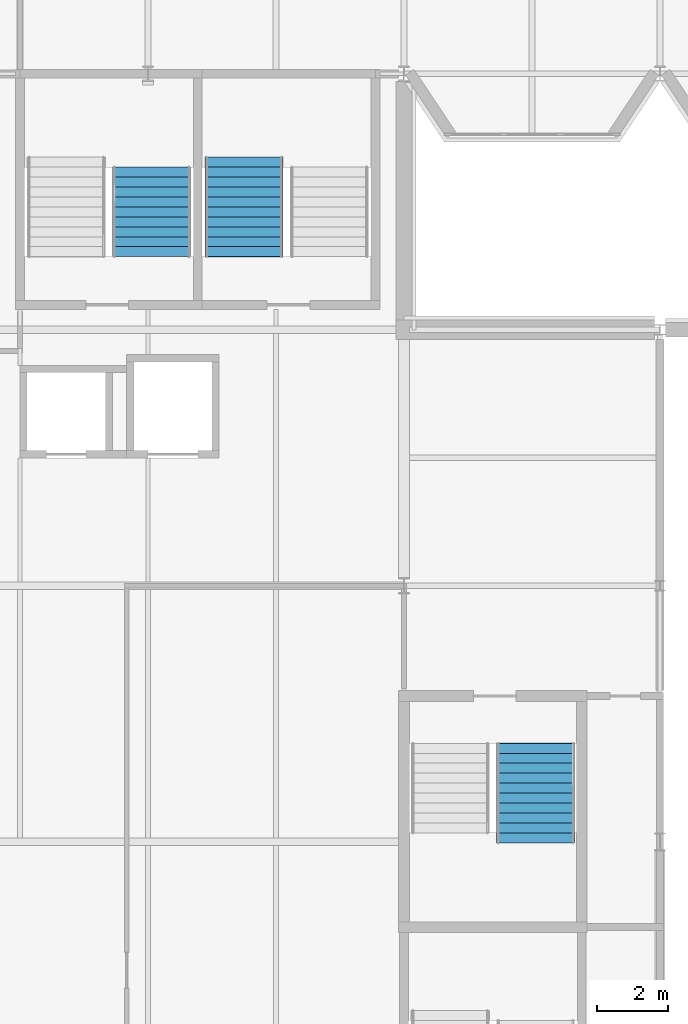
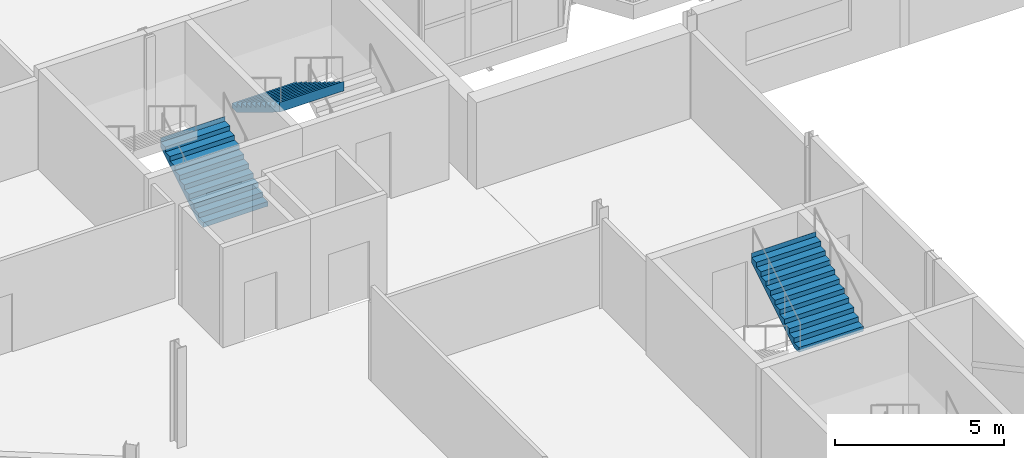
# One storey, part 91 of 124: 3 stair flights, 3 elements without a shape of their own.
"""IFC4 building model written with IfcOpenShell, lengths in metres."""

from ifc_helpers import new_model, si_unit, direction, frame, origin, place, context, subcontext, project, spatial, polyline, outline, extrude, material, type_object, element, aggregate, save


model = new_model("IFC4")

# Units and contexts
model_context = context("Model", 3, precision=1e-05, world=origin(), true_north=direction((0.0, 1.0)))
body_context = subcontext(model_context, "Body", "Model", "MODEL_VIEW")
ifc_project = project(units=[si_unit("LENGTHUNIT", "METRE"), si_unit("AREAUNIT", "SQUARE_METRE"), si_unit("VOLUMEUNIT", "CUBIC_METRE"), si_unit("PLANEANGLEUNIT", "RADIAN"), si_unit("MASSUNIT", "GRAM", prefix="KILO")], contexts=[model_context])

# Site, building, storey
site_placement = place(None, origin())
site = spatial("IfcSite", under=ifc_project, at=site_placement, CompositionType="ELEMENT")
building_placement = place(site_placement, origin())
building = spatial("IfcBuilding", under=site, at=building_placement, Name="Kupolbacken Congress Centre", CompositionType="ELEMENT")
storey_placement = place(building_placement, frame((0.0, 0.0, 10.800048828125)))
storey = spatial("IfcBuildingStorey", under=building, at=storey_placement, Name="L03", CompositionType="ELEMENT", Elevation=10.800048828125)

# Stair, stair flight
ifc_material_1 = material(Name="Concrete C30/37", Category="concrete")
stair_type = type_object("IfcStairType", Name="ST13 stair 2200", PredefinedType="TWO_STRAIGHT_RUN_STAIR", material=ifc_material_1)
stair_1_placement = place(storey_placement, origin())
stair_1 = element("IfcStair", 1, at=stair_1_placement, inside=storey, type_object=stair_type, Name="C/stair/PS1NE/L03", PredefinedType="NOTDEFINED")
ifc_material_2 = material(Name="Concrete C30/37", Category="concrete")
stair_flight_type_1 = type_object("IfcStairFlightType", Name="FL13 stair flight 2200 x 10 risers", PredefinedType="STRAIGHT", material=ifc_material_2)
stair_flight_1_placement = place(storey_placement, frame((72.10009765625, 117.2548828125, 0.0), z_axis=(0.0, 0.0, 1.0), x_axis=(0.0, 1.0, 0.0)))
stair_flight_1 = element("IfcStairFlight", 2, at=stair_flight_1_placement, type_object=stair_flight_type_1, Name="PS1NE flight 1", NumberOfRisers=10, NumberOfTreads=9, PredefinedType="STRAIGHT", RiserHeight=0.171428571, TreadLength=0.28, context=body_context, shape_type="SweptSolid", body=[
    extrude(outline(polyline([(0.0, 0.0), (0.0, 0.0009765625), (0.0, 0.002197265625), (0.0, 0.003173828125), (0.0, 0.004150390625), (0.0, 0.00537109375), (0.0, 0.00634765625), (0.0, 0.007568359375), (0.0, 0.008544921875), (0.0, 0.009521484375), (0.0, 0.0107421875), (0.0, 0.01171875), (0.0, 0.0126953125), (0.0, 0.013916015625), (0.0, 0.014892578125), (0.0, 0.015869140625), (0.0, 0.01708984375), (0.0, 0.01806640625), (0.0, 0.019287109375), (0.0, 0.020263671875), (0.0, 0.021240234375), (0.0, 0.0224609375), (0.0, 0.0234375), (0.0, 0.0244140625), (0.0, 0.025634765625), (0.0, 0.026611328125), (0.0, 0.027587890625), (0.0, 0.02880859375), (0.0, 0.02978515625), (0.0, 0.03076171875), (0.0, 0.031982421875), (0.0, 0.032958984375), (0.0, 0.0341796875), (0.0, 0.03515625), (0.0, 0.0361328125), (0.0, 0.037353515625), (0.0, 0.038330078125), (0.0, 0.039306640625), (0.0, 0.04052734375), (0.0, 0.04150390625), (0.0, 0.04248046875), (0.0, 0.043701171875), (0.0, 0.044677734375), (0.0, 0.0458984375), (0.0, 0.046875), (0.0, 0.0478515625), (0.0, 0.049072265625), (0.0, 0.050048828125), (0.0, 0.051025390625), (0.0, 0.05224609375), (0.0, 0.05322265625), (0.0, 0.05419921875), (0.0, 0.055419921875), (0.0, 0.056396484375), (0.0, 0.0576171875), (0.0, 0.05859375), (0.0, 0.0595703125), (0.0, 0.060791015625), (0.0, 0.061767578125), (0.0, 0.062744140625), (0.0, 0.06396484375), (0.0, 0.06494140625), (0.0, 0.06591796875), (0.0, 0.067138671875), (0.0, 0.068115234375), (0.0, 0.069091796875), (0.0, 0.0703125), (0.0, 0.0712890625), (0.0, 0.072509765625), (0.0, 0.073486328125), (0.0, 0.074462890625), (0.0, 0.07568359375), (0.0, 0.07666015625), (0.0, 0.07763671875), (0.0, 0.078857421875), (0.0, 0.079833984375), (0.0, 0.080810546875), (0.0, 0.08203125), (0.0, 0.0830078125), (0.0, 0.084228515625), (0.0, 0.085205078125), (0.0, 0.086181640625), (0.0, 0.08740234375), (0.0, 0.08837890625), (0.0, 0.08935546875), (0.0, 0.090576171875), (0.0, 0.091552734375), (0.0, 0.092529296875), (0.0, 0.09375), (0.0, 0.0947265625), (0.0, 0.095947265625), (0.0, 0.096923828125), (0.0, 0.097900390625), (0.0, 0.09912109375), (0.0, 0.10009765625), (0.0, 0.10107421875), (0.0, 0.102294921875), (0.0, 0.103271484375), (0.0, 0.104248046875), (0.0, 0.10546875), (0.0, 0.1064453125), (0.0, 0.107421875), (0.0, 0.108642578125), (0.0, 0.109619140625), (0.0, 0.11083984375), (0.0, 0.11181640625), (0.0, 0.11279296875), (0.0, 0.114013671875), (0.0, 0.114990234375), (0.0, 0.115966796875), (0.0, 0.1171875), (0.0, 0.1181640625), (0.0, 0.119140625), (0.0, 0.120361328125), (0.0, 0.121337890625), (0.0, 0.12255859375), (0.0, 0.12353515625), (0.0, 0.12451171875), (0.0, 0.125732421875), (0.0, 0.126708984375), (0.0, 0.127685546875), (0.0, 0.12890625), (0.0, 0.1298828125), (0.0, 0.130859375), (0.0, 0.132080078125), (0.0, 0.133056640625), (0.0, 0.13427734375), (0.0, 0.13525390625), (0.0, 0.13623046875), (0.0, 0.137451171875), (0.0, 0.138427734375), (0.0, 0.139404296875), (0.0, 0.140625), (0.0, 0.1416015625), (0.0, 0.142578125), (0.0, 0.143798828125), (0.0, 0.144775390625), (0.0, 0.145751953125), (0.0, 0.14697265625), (0.0, 0.14794921875), (0.0, 0.149169921875), (0.0, 0.150146484375), (0.0, 0.151123046875), (0.0, 0.15234375), (0.0, 0.1533203125), (0.0, 0.154296875), (0.0, 0.155517578125), (0.0, 0.156494140625), (0.0, 0.157470703125), (0.0, 0.15869140625), (0.0, 0.15966796875), (0.0, 0.160888671875), (0.0, 0.161865234375), (0.0, 0.162841796875), (0.0, 0.1640625), (0.0, 0.1650390625), (0.0, 0.166015625), (0.0, 0.167236328125), (0.0, 0.168212890625), (0.0, 0.169189453125), (0.0, 0.17041015625), (0.0, 0.17138671875), (0.280029296875, 0.17138671875), (0.280029296875, 0.3427734375), (0.56005859375, 0.3427734375), (0.56005859375, 0.514404296875), (0.840087890625, 0.514404296875), (0.840087890625, 0.685791015625), (1.1201171875, 0.685791015625), (1.1201171875, 0.857177734375), (1.39990234375, 0.857177734375), (1.39990234375, 1.028564453125), (1.679931640625, 1.028564453125), (1.679931640625, 1.199951171875), (1.9599609375, 1.199951171875), (1.9599609375, 1.371337890625), (2.239990234375, 1.371337890625), (2.239990234375, 1.54296875), (2.52001953125, 1.54296875), (2.52001953125, 1.71435546875), (2.52197265625, 1.71435546875), (2.52197265625, 1.712158203125), (2.52197265625, 1.7099609375), (2.52197265625, 1.707763671875), (2.52197265625, 1.70556640625), (2.52197265625, 1.70361328125), (2.52197265625, 1.701416015625), (2.52197265625, 1.69921875), (2.52197265625, 1.697021484375), (2.52197265625, 1.69482421875), (2.52197265625, 1.692626953125), (2.52197265625, 1.690673828125), (2.52197265625, 1.6884765625), (2.52197265625, 1.686279296875), (2.52197265625, 1.68408203125), (2.52197265625, 1.681884765625), (2.52197265625, 1.6796875), (2.52197265625, 1.677734375), (2.52197265625, 1.675537109375), (2.52197265625, 1.67333984375), (2.52197265625, 1.671142578125), (2.52197265625, 1.6689453125), (2.52197265625, 1.666748046875), (2.52197265625, 1.664794921875), (2.52197265625, 1.66259765625), (2.52197265625, 1.660400390625), (2.52197265625, 1.658203125), (2.52197265625, 1.656005859375), (2.52197265625, 1.65380859375), (2.52197265625, 1.65185546875), (2.52197265625, 1.649658203125), (2.52197265625, 1.6474609375), (2.52197265625, 1.645263671875), (2.52197265625, 1.64306640625), (2.52197265625, 1.640869140625), (2.52197265625, 1.638916015625), (2.52197265625, 1.63671875), (2.52197265625, 1.634521484375), (2.52197265625, 1.63232421875), (2.52197265625, 1.630126953125), (2.52197265625, 1.6279296875), (2.52197265625, 1.6259765625), (2.52197265625, 1.623779296875), (2.52197265625, 1.62158203125), (2.52197265625, 1.619384765625), (2.52197265625, 1.6171875), (2.52197265625, 1.614990234375), (2.52197265625, 1.613037109375), (2.52197265625, 1.61083984375), (2.52197265625, 1.608642578125), (2.52197265625, 1.6064453125), (2.52197265625, 1.604248046875), (2.52197265625, 1.60205078125), (2.52197265625, 1.60009765625), (2.52197265625, 1.597900390625), (2.52197265625, 1.595703125), (2.52197265625, 1.593505859375), (2.52197265625, 1.59130859375), (2.52197265625, 1.589111328125), (2.52197265625, 1.587158203125), (2.52197265625, 1.5849609375), (2.52197265625, 1.582763671875), (2.52197265625, 1.58056640625), (2.52197265625, 1.578369140625), (2.52197265625, 1.576171875), (2.52197265625, 1.57421875), (2.52197265625, 1.572021484375), (2.52197265625, 1.56982421875), (2.52197265625, 1.567626953125), (2.52197265625, 1.5654296875), (2.52197265625, 1.563232421875), (2.52197265625, 1.561279296875), (2.52197265625, 1.55908203125), (2.52197265625, 1.556884765625), (2.52197265625, 1.5546875), (2.52197265625, 1.552490234375), (2.52197265625, 1.55029296875), (2.52197265625, 1.54833984375), (2.52197265625, 1.546142578125), (2.52197265625, 1.5439453125), (2.52197265625, 1.541748046875), (2.52197265625, 1.53955078125), (2.52197265625, 1.537353515625), (2.52197265625, 1.535400390625), (2.52197265625, 1.533203125), (2.52197265625, 1.531005859375), (2.52197265625, 1.52880859375), (2.52197265625, 1.526611328125), (2.52197265625, 1.5244140625), (2.52197265625, 1.5224609375), (2.52197265625, 1.520263671875), (2.52197265625, 1.51806640625), (2.52197265625, 1.515869140625), (2.52197265625, 1.513671875), (2.52197265625, 1.511474609375), (2.52197265625, 1.509521484375), (2.52197265625, 1.50732421875), (2.52197265625, 1.505126953125), (2.52197265625, 1.5029296875), (2.52197265625, 1.500732421875), (2.52197265625, 1.49853515625), (2.52197265625, 1.49658203125), (2.52197265625, 1.494384765625), (2.52197265625, 1.4921875), (2.52197265625, 1.489990234375), (2.52197265625, 1.48779296875), (2.52197265625, 1.485595703125), (2.52197265625, 1.483642578125), (2.52197265625, 1.4814453125), (2.52197265625, 1.479248046875), (2.52197265625, 1.47705078125), (2.52197265625, 1.474853515625), (2.52197265625, 1.47265625), (2.52197265625, 1.470703125), (2.52197265625, 1.468505859375), (2.52197265625, 1.46630859375), (2.52197265625, 1.464111328125), (2.52197265625, 1.4619140625), (2.52197265625, 1.459716796875), (2.52197265625, 1.457763671875), (2.52197265625, 1.45556640625), (2.52197265625, 1.453369140625), (2.52197265625, 1.451171875), (2.52197265625, 1.448974609375), (2.52197265625, 1.44677734375), (2.52197265625, 1.44482421875), (2.52197265625, 1.442626953125), (2.52197265625, 1.4404296875), (2.52197265625, 1.438232421875), (2.52197265625, 1.43603515625), (2.52197265625, 1.433837890625), (2.52197265625, 1.431884765625), (2.52197265625, 1.4296875), (2.52197265625, 1.427490234375), (2.52197265625, 1.42529296875), (2.52197265625, 1.423095703125), (2.52197265625, 1.4208984375), (2.52197265625, 1.4189453125), (2.52197265625, 1.416748046875), (2.52197265625, 1.41455078125), (2.52197265625, 1.412353515625), (2.52197265625, 1.41015625), (2.52197265625, 1.407958984375), (2.52197265625, 1.406005859375), (2.52197265625, 1.40380859375), (2.52197265625, 1.401611328125), (2.52197265625, 1.3994140625), (2.52197265625, 1.397216796875), (2.52197265625, 1.39501953125), (2.52197265625, 1.39306640625), (2.52197265625, 1.390869140625), (2.52197265625, 1.388671875), (2.52197265625, 1.386474609375), (2.52197265625, 1.38427734375), (2.52197265625, 1.382080078125), (2.52197265625, 1.380126953125), (2.52197265625, 1.3779296875), (2.52197265625, 1.375732421875), (2.52197265625, 1.37353515625), (2.52197265625, 1.371337890625), (2.52197265625, 1.369140625), (2.52197265625, 1.3671875), (0.2890625, 0.0), (0.0, 0.0)])), frame((0.0, 1.10009765625, 0.0), z_axis=(0.0, -1.0, 0.0), x_axis=(1.0, 0.0, 0.0)), (0.0, 0.0, 1.0), 2.199951171875),
])
aggregate(stair_1, [stair_flight_1])

stair_2_placement = place(storey_placement, origin())
stair_2 = element("IfcStair", 3, at=stair_2_placement, inside=storey, type_object=stair_type, Name="C/stair/PS2NE/L03", PredefinedType="NOTDEFINED")
ifc_material_3 = material(Name="Concrete C30/37", Category="concrete")
stair_flight_type_2 = type_object("IfcStairFlightType", Name="FL14 stair flight 2200 x 11 risers", PredefinedType="STRAIGHT", material=ifc_material_3)
stair_flight_2_placement = place(storey_placement, frame((74.699951171875, 120.054931640625, 1.71435546875), z_axis=(0.0, 0.0, 1.0), x_axis=(0.0, -1.0, 0.0)))
stair_flight_2 = element("IfcStairFlight", 4, at=stair_flight_2_placement, type_object=stair_flight_type_2, Name="PS2NE flight 2", NumberOfRisers=11, NumberOfTreads=10, PredefinedType="STRAIGHT", RiserHeight=0.171428571, TreadLength=0.28, context=body_context, shape_type="SweptSolid", body=[
    extrude(outline(polyline([(0.0, 0.0), (0.0, 0.0009765625), (0.0, 0.002197265625), (0.0, 0.003173828125), (0.0, 0.004150390625), (0.0, 0.00537109375), (0.0, 0.00634765625), (0.0, 0.007568359375), (0.0, 0.008544921875), (0.0, 0.009521484375), (0.0, 0.0107421875), (0.0, 0.01171875), (0.0, 0.0126953125), (0.0, 0.013916015625), (0.0, 0.014892578125), (0.0, 0.015869140625), (0.0, 0.01708984375), (0.0, 0.01806640625), (0.0, 0.019287109375), (0.0, 0.020263671875), (0.0, 0.021240234375), (0.0, 0.0224609375), (0.0, 0.0234375), (0.0, 0.0244140625), (0.0, 0.025634765625), (0.0, 0.026611328125), (0.0, 0.027587890625), (0.0, 0.02880859375), (0.0, 0.02978515625), (0.0, 0.03076171875), (0.0, 0.031982421875), (0.0, 0.032958984375), (0.0, 0.0341796875), (0.0, 0.03515625), (0.0, 0.0361328125), (0.0, 0.037353515625), (0.0, 0.038330078125), (0.0, 0.039306640625), (0.0, 0.04052734375), (0.0, 0.04150390625), (0.0, 0.04248046875), (0.0, 0.043701171875), (0.0, 0.044677734375), (0.0, 0.0458984375), (0.0, 0.046875), (0.0, 0.0478515625), (0.0, 0.049072265625), (0.0, 0.050048828125), (0.0, 0.051025390625), (0.0, 0.05224609375), (0.0, 0.05322265625), (0.0, 0.05419921875), (0.0, 0.055419921875), (0.0, 0.056396484375), (0.0, 0.0576171875), (0.0, 0.05859375), (0.0, 0.0595703125), (0.0, 0.060791015625), (0.0, 0.061767578125), (0.0, 0.062744140625), (0.0, 0.06396484375), (0.0, 0.06494140625), (0.0, 0.06591796875), (0.0, 0.067138671875), (0.0, 0.068115234375), (0.0, 0.069091796875), (0.0, 0.0703125), (0.0, 0.0712890625), (0.0, 0.072509765625), (0.0, 0.073486328125), (0.0, 0.074462890625), (0.0, 0.07568359375), (0.0, 0.07666015625), (0.0, 0.07763671875), (0.0, 0.078857421875), (0.0, 0.079833984375), (0.0, 0.080810546875), (0.0, 0.08203125), (0.0, 0.0830078125), (0.0, 0.084228515625), (0.0, 0.085205078125), (0.0, 0.086181640625), (0.0, 0.08740234375), (0.0, 0.08837890625), (0.0, 0.08935546875), (0.0, 0.090576171875), (0.0, 0.091552734375), (0.0, 0.092529296875), (0.0, 0.09375), (0.0, 0.0947265625), (0.0, 0.095947265625), (0.0, 0.096923828125), (0.0, 0.097900390625), (0.0, 0.09912109375), (0.0, 0.10009765625), (0.0, 0.10107421875), (0.0, 0.102294921875), (0.0, 0.103271484375), (0.0, 0.104248046875), (0.0, 0.10546875), (0.0, 0.1064453125), (0.0, 0.107421875), (0.0, 0.108642578125), (0.0, 0.109619140625), (0.0, 0.11083984375), (0.0, 0.11181640625), (0.0, 0.11279296875), (0.0, 0.114013671875), (0.0, 0.114990234375), (0.0, 0.115966796875), (0.0, 0.1171875), (0.0, 0.1181640625), (0.0, 0.119140625), (0.0, 0.120361328125), (0.0, 0.121337890625), (0.0, 0.12255859375), (0.0, 0.12353515625), (0.0, 0.12451171875), (0.0, 0.125732421875), (0.0, 0.126708984375), (0.0, 0.127685546875), (0.0, 0.12890625), (0.0, 0.1298828125), (0.0, 0.130859375), (0.0, 0.132080078125), (0.0, 0.133056640625), (0.0, 0.13427734375), (0.0, 0.13525390625), (0.0, 0.13623046875), (0.0, 0.137451171875), (0.0, 0.138427734375), (0.0, 0.139404296875), (0.0, 0.140625), (0.0, 0.1416015625), (0.0, 0.142578125), (0.0, 0.143798828125), (0.0, 0.144775390625), (0.0, 0.145751953125), (0.0, 0.14697265625), (0.0, 0.14794921875), (0.0, 0.149169921875), (0.0, 0.150146484375), (0.0, 0.151123046875), (0.0, 0.15234375), (0.0, 0.1533203125), (0.0, 0.154296875), (0.0, 0.155517578125), (0.0, 0.156494140625), (0.0, 0.157470703125), (0.0, 0.15869140625), (0.0, 0.15966796875), (0.0, 0.160888671875), (0.0, 0.161865234375), (0.0, 0.162841796875), (0.0, 0.1640625), (0.0, 0.1650390625), (0.0, 0.166015625), (0.0, 0.167236328125), (0.0, 0.168212890625), (0.0, 0.169189453125), (0.0, 0.17041015625), (0.0, 0.17138671875), (0.280029296875, 0.17138671875), (0.280029296875, 0.3427734375), (0.56005859375, 0.3427734375), (0.56005859375, 0.514404296875), (0.840087890625, 0.514404296875), (0.840087890625, 0.685791015625), (1.1201171875, 0.685791015625), (1.1201171875, 0.857177734375), (1.39990234375, 0.857177734375), (1.39990234375, 1.028564453125), (1.679931640625, 1.028564453125), (1.679931640625, 1.199951171875), (1.9599609375, 1.199951171875), (1.9599609375, 1.371337890625), (2.239990234375, 1.371337890625), (2.239990234375, 1.54296875), (2.52001953125, 1.54296875), (2.52001953125, 1.71435546875), (2.800048828125, 1.71435546875), (2.800048828125, 1.8857421875), (2.802001953125, 1.8857421875), (2.802001953125, 1.883544921875), (2.802001953125, 1.88134765625), (2.802001953125, 1.879150390625), (2.802001953125, 1.877197265625), (2.802001953125, 1.875), (2.802001953125, 1.872802734375), (2.802001953125, 1.87060546875), (2.802001953125, 1.868408203125), (2.802001953125, 1.8662109375), (2.802001953125, 1.8642578125), (2.802001953125, 1.862060546875), (2.802001953125, 1.85986328125), (2.802001953125, 1.857666015625), (2.802001953125, 1.85546875), (2.802001953125, 1.853271484375), (2.802001953125, 1.851318359375), (2.802001953125, 1.84912109375), (2.802001953125, 1.846923828125), (2.802001953125, 1.8447265625), (2.802001953125, 1.842529296875), (2.802001953125, 1.84033203125), (2.802001953125, 1.83837890625), (2.802001953125, 1.836181640625), (2.802001953125, 1.833984375), (2.802001953125, 1.831787109375), (2.802001953125, 1.82958984375), (2.802001953125, 1.827392578125), (2.802001953125, 1.825439453125), (2.802001953125, 1.8232421875), (2.802001953125, 1.821044921875), (2.802001953125, 1.81884765625), (2.802001953125, 1.816650390625), (2.802001953125, 1.814453125), (2.802001953125, 1.8125), (2.802001953125, 1.810302734375), (2.802001953125, 1.80810546875), (2.802001953125, 1.805908203125), (2.802001953125, 1.8037109375), (2.802001953125, 1.801513671875), (2.802001953125, 1.799560546875), (2.802001953125, 1.79736328125), (2.802001953125, 1.795166015625), (2.802001953125, 1.79296875), (2.802001953125, 1.790771484375), (2.802001953125, 1.78857421875), (2.802001953125, 1.78662109375), (2.802001953125, 1.784423828125), (2.802001953125, 1.7822265625), (2.802001953125, 1.780029296875), (2.802001953125, 1.77783203125), (2.802001953125, 1.775634765625), (2.802001953125, 1.773681640625), (2.802001953125, 1.771484375), (2.802001953125, 1.769287109375), (2.802001953125, 1.76708984375), (2.802001953125, 1.764892578125), (2.802001953125, 1.7626953125), (2.802001953125, 1.7607421875), (2.802001953125, 1.758544921875), (2.802001953125, 1.75634765625), (2.802001953125, 1.754150390625), (2.802001953125, 1.751953125), (2.802001953125, 1.749755859375), (2.802001953125, 1.747802734375), (2.802001953125, 1.74560546875), (2.802001953125, 1.743408203125), (2.802001953125, 1.7412109375), (2.802001953125, 1.739013671875), (2.802001953125, 1.73681640625), (2.802001953125, 1.73486328125), (2.802001953125, 1.732666015625), (2.802001953125, 1.73046875), (2.802001953125, 1.728271484375), (2.802001953125, 1.72607421875), (2.802001953125, 1.723876953125), (2.802001953125, 1.721923828125), (2.802001953125, 1.7197265625), (2.802001953125, 1.717529296875), (2.802001953125, 1.71533203125), (2.802001953125, 1.713134765625), (2.802001953125, 1.7109375), (2.802001953125, 1.708984375), (2.802001953125, 1.706787109375), (2.802001953125, 1.70458984375), (2.802001953125, 1.702392578125), (2.802001953125, 1.7001953125), (2.802001953125, 1.697998046875), (2.802001953125, 1.696044921875), (2.802001953125, 1.69384765625), (2.802001953125, 1.691650390625), (2.802001953125, 1.689453125), (2.802001953125, 1.687255859375), (2.802001953125, 1.68505859375), (2.802001953125, 1.68310546875), (2.802001953125, 1.680908203125), (2.802001953125, 1.6787109375), (2.802001953125, 1.676513671875), (2.802001953125, 1.67431640625), (2.802001953125, 1.672119140625), (2.802001953125, 1.670166015625), (2.802001953125, 1.66796875), (2.802001953125, 1.665771484375), (2.802001953125, 1.66357421875), (2.802001953125, 1.661376953125), (2.802001953125, 1.6591796875), (2.802001953125, 1.6572265625), (2.802001953125, 1.655029296875), (2.802001953125, 1.65283203125), (2.802001953125, 1.650634765625), (2.802001953125, 1.6484375), (2.802001953125, 1.646240234375), (2.802001953125, 1.644287109375), (2.802001953125, 1.64208984375), (2.802001953125, 1.639892578125), (2.802001953125, 1.6376953125), (2.802001953125, 1.635498046875), (2.802001953125, 1.63330078125), (2.802001953125, 1.63134765625), (2.802001953125, 1.629150390625), (2.802001953125, 1.626953125), (2.802001953125, 1.624755859375), (2.802001953125, 1.62255859375), (2.802001953125, 1.620361328125), (2.802001953125, 1.618408203125), (2.802001953125, 1.6162109375), (2.802001953125, 1.614013671875), (2.802001953125, 1.61181640625), (2.802001953125, 1.609619140625), (2.802001953125, 1.607421875), (2.802001953125, 1.60546875), (2.802001953125, 1.603271484375), (2.802001953125, 1.60107421875), (2.802001953125, 1.598876953125), (2.802001953125, 1.5966796875), (2.802001953125, 1.594482421875), (2.802001953125, 1.592529296875), (2.802001953125, 1.59033203125), (2.802001953125, 1.588134765625), (2.802001953125, 1.5859375), (2.802001953125, 1.583740234375), (2.802001953125, 1.58154296875), (2.802001953125, 1.57958984375), (2.802001953125, 1.577392578125), (2.802001953125, 1.5751953125), (2.802001953125, 1.572998046875), (2.802001953125, 1.57080078125), (2.802001953125, 1.568603515625), (2.802001953125, 1.566650390625), (2.802001953125, 1.564453125), (2.802001953125, 1.562255859375), (2.802001953125, 1.56005859375), (2.802001953125, 1.557861328125), (2.802001953125, 1.5556640625), (2.802001953125, 1.5537109375), (2.802001953125, 1.551513671875), (2.802001953125, 1.54931640625), (2.802001953125, 1.547119140625), (2.802001953125, 1.544921875), (2.802001953125, 1.542724609375), (2.802001953125, 1.540771484375), (2.802001953125, 1.53857421875), (0.2890625, 0.0), (0.0, 0.0)])), frame((0.0, 1.10009765625, 0.0), z_axis=(0.0, -1.0, 0.0), x_axis=(1.0, 0.0, 0.0)), (0.0, 0.0, 1.0), 2.199951171875),
])
aggregate(stair_2, [stair_flight_2])

stair_3_placement = place(storey_placement, origin())
stair_3 = element("IfcStair", 5, at=stair_3_placement, inside=storey, type_object=stair_type, Name="C/stair/LS2/L03", PredefinedType="NOTDEFINED")
stair_flight_3_placement = place(storey_placement, frame((82.89990234375, 100.77001953125, 1.71435546875), z_axis=(0.0, 0.0, 1.0), x_axis=(0.0, 1.0, 0.0)))
stair_flight_3 = element("IfcStairFlight", 6, at=stair_flight_3_placement, type_object=stair_flight_type_2, Name="LS2 flight 2", NumberOfRisers=11, NumberOfTreads=10, PredefinedType="STRAIGHT", RiserHeight=0.171428571, TreadLength=0.28, context=body_context, shape_type="SweptSolid", body=[
    extrude(outline(polyline([(0.0, 0.0), (0.0, 0.0009765625), (0.0, 0.002197265625), (0.0, 0.003173828125), (0.0, 0.004150390625), (0.0, 0.00537109375), (0.0, 0.00634765625), (0.0, 0.007568359375), (0.0, 0.008544921875), (0.0, 0.009521484375), (0.0, 0.0107421875), (0.0, 0.01171875), (0.0, 0.0126953125), (0.0, 0.013916015625), (0.0, 0.014892578125), (0.0, 0.015869140625), (0.0, 0.01708984375), (0.0, 0.01806640625), (0.0, 0.019287109375), (0.0, 0.020263671875), (0.0, 0.021240234375), (0.0, 0.0224609375), (0.0, 0.0234375), (0.0, 0.0244140625), (0.0, 0.025634765625), (0.0, 0.026611328125), (0.0, 0.027587890625), (0.0, 0.02880859375), (0.0, 0.02978515625), (0.0, 0.03076171875), (0.0, 0.031982421875), (0.0, 0.032958984375), (0.0, 0.0341796875), (0.0, 0.03515625), (0.0, 0.0361328125), (0.0, 0.037353515625), (0.0, 0.038330078125), (0.0, 0.039306640625), (0.0, 0.04052734375), (0.0, 0.04150390625), (0.0, 0.04248046875), (0.0, 0.043701171875), (0.0, 0.044677734375), (0.0, 0.0458984375), (0.0, 0.046875), (0.0, 0.0478515625), (0.0, 0.049072265625), (0.0, 0.050048828125), (0.0, 0.051025390625), (0.0, 0.05224609375), (0.0, 0.05322265625), (0.0, 0.05419921875), (0.0, 0.055419921875), (0.0, 0.056396484375), (0.0, 0.0576171875), (0.0, 0.05859375), (0.0, 0.0595703125), (0.0, 0.060791015625), (0.0, 0.061767578125), (0.0, 0.062744140625), (0.0, 0.06396484375), (0.0, 0.06494140625), (0.0, 0.06591796875), (0.0, 0.067138671875), (0.0, 0.068115234375), (0.0, 0.069091796875), (0.0, 0.0703125), (0.0, 0.0712890625), (0.0, 0.072509765625), (0.0, 0.073486328125), (0.0, 0.074462890625), (0.0, 0.07568359375), (0.0, 0.07666015625), (0.0, 0.07763671875), (0.0, 0.078857421875), (0.0, 0.079833984375), (0.0, 0.080810546875), (0.0, 0.08203125), (0.0, 0.0830078125), (0.0, 0.084228515625), (0.0, 0.085205078125), (0.0, 0.086181640625), (0.0, 0.08740234375), (0.0, 0.08837890625), (0.0, 0.08935546875), (0.0, 0.090576171875), (0.0, 0.091552734375), (0.0, 0.092529296875), (0.0, 0.09375), (0.0, 0.0947265625), (0.0, 0.095947265625), (0.0, 0.096923828125), (0.0, 0.097900390625), (0.0, 0.09912109375), (0.0, 0.10009765625), (0.0, 0.10107421875), (0.0, 0.102294921875), (0.0, 0.103271484375), (0.0, 0.104248046875), (0.0, 0.10546875), (0.0, 0.1064453125), (0.0, 0.107421875), (0.0, 0.108642578125), (0.0, 0.109619140625), (0.0, 0.11083984375), (0.0, 0.11181640625), (0.0, 0.11279296875), (0.0, 0.114013671875), (0.0, 0.114990234375), (0.0, 0.115966796875), (0.0, 0.1171875), (0.0, 0.1181640625), (0.0, 0.119140625), (0.0, 0.120361328125), (0.0, 0.121337890625), (0.0, 0.12255859375), (0.0, 0.12353515625), (0.0, 0.12451171875), (0.0, 0.125732421875), (0.0, 0.126708984375), (0.0, 0.127685546875), (0.0, 0.12890625), (0.0, 0.1298828125), (0.0, 0.130859375), (0.0, 0.132080078125), (0.0, 0.133056640625), (0.0, 0.13427734375), (0.0, 0.13525390625), (0.0, 0.13623046875), (0.0, 0.137451171875), (0.0, 0.138427734375), (0.0, 0.139404296875), (0.0, 0.140625), (0.0, 0.1416015625), (0.0, 0.142578125), (0.0, 0.143798828125), (0.0, 0.144775390625), (0.0, 0.145751953125), (0.0, 0.14697265625), (0.0, 0.14794921875), (0.0, 0.149169921875), (0.0, 0.150146484375), (0.0, 0.151123046875), (0.0, 0.15234375), (0.0, 0.1533203125), (0.0, 0.154296875), (0.0, 0.155517578125), (0.0, 0.156494140625), (0.0, 0.157470703125), (0.0, 0.15869140625), (0.0, 0.15966796875), (0.0, 0.160888671875), (0.0, 0.161865234375), (0.0, 0.162841796875), (0.0, 0.1640625), (0.0, 0.1650390625), (0.0, 0.166015625), (0.0, 0.167236328125), (0.0, 0.168212890625), (0.0, 0.169189453125), (0.0, 0.17041015625), (0.0, 0.17138671875), (0.280029296875, 0.17138671875), (0.280029296875, 0.3427734375), (0.56005859375, 0.3427734375), (0.56005859375, 0.514404296875), (0.840087890625, 0.514404296875), (0.840087890625, 0.685791015625), (1.1201171875, 0.685791015625), (1.1201171875, 0.857177734375), (1.39990234375, 0.857177734375), (1.39990234375, 1.028564453125), (1.679931640625, 1.028564453125), (1.679931640625, 1.199951171875), (1.9599609375, 1.199951171875), (1.9599609375, 1.371337890625), (2.239990234375, 1.371337890625), (2.239990234375, 1.54296875), (2.52001953125, 1.54296875), (2.52001953125, 1.71435546875), (2.800048828125, 1.71435546875), (2.800048828125, 1.8857421875), (2.802001953125, 1.8857421875), (2.802001953125, 1.883544921875), (2.802001953125, 1.88134765625), (2.802001953125, 1.879150390625), (2.802001953125, 1.877197265625), (2.802001953125, 1.875), (2.802001953125, 1.872802734375), (2.802001953125, 1.87060546875), (2.802001953125, 1.868408203125), (2.802001953125, 1.8662109375), (2.802001953125, 1.8642578125), (2.802001953125, 1.862060546875), (2.802001953125, 1.85986328125), (2.802001953125, 1.857666015625), (2.802001953125, 1.85546875), (2.802001953125, 1.853271484375), (2.802001953125, 1.851318359375), (2.802001953125, 1.84912109375), (2.802001953125, 1.846923828125), (2.802001953125, 1.8447265625), (2.802001953125, 1.842529296875), (2.802001953125, 1.84033203125), (2.802001953125, 1.83837890625), (2.802001953125, 1.836181640625), (2.802001953125, 1.833984375), (2.802001953125, 1.831787109375), (2.802001953125, 1.82958984375), (2.802001953125, 1.827392578125), (2.802001953125, 1.825439453125), (2.802001953125, 1.8232421875), (2.802001953125, 1.821044921875), (2.802001953125, 1.81884765625), (2.802001953125, 1.816650390625), (2.802001953125, 1.814453125), (2.802001953125, 1.8125), (2.802001953125, 1.810302734375), (2.802001953125, 1.80810546875), (2.802001953125, 1.805908203125), (2.802001953125, 1.8037109375), (2.802001953125, 1.801513671875), (2.802001953125, 1.799560546875), (2.802001953125, 1.79736328125), (2.802001953125, 1.795166015625), (2.802001953125, 1.79296875), (2.802001953125, 1.790771484375), (2.802001953125, 1.78857421875), (2.802001953125, 1.78662109375), (2.802001953125, 1.784423828125), (2.802001953125, 1.7822265625), (2.802001953125, 1.780029296875), (2.802001953125, 1.77783203125), (2.802001953125, 1.775634765625), (2.802001953125, 1.773681640625), (2.802001953125, 1.771484375), (2.802001953125, 1.769287109375), (2.802001953125, 1.76708984375), (2.802001953125, 1.764892578125), (2.802001953125, 1.7626953125), (2.802001953125, 1.7607421875), (2.802001953125, 1.758544921875), (2.802001953125, 1.75634765625), (2.802001953125, 1.754150390625), (2.802001953125, 1.751953125), (2.802001953125, 1.749755859375), (2.802001953125, 1.747802734375), (2.802001953125, 1.74560546875), (2.802001953125, 1.743408203125), (2.802001953125, 1.7412109375), (2.802001953125, 1.739013671875), (2.802001953125, 1.73681640625), (2.802001953125, 1.73486328125), (2.802001953125, 1.732666015625), (2.802001953125, 1.73046875), (2.802001953125, 1.728271484375), (2.802001953125, 1.72607421875), (2.802001953125, 1.723876953125), (2.802001953125, 1.721923828125), (2.802001953125, 1.7197265625), (2.802001953125, 1.717529296875), (2.802001953125, 1.71533203125), (2.802001953125, 1.713134765625), (2.802001953125, 1.7109375), (2.802001953125, 1.708984375), (2.802001953125, 1.706787109375), (2.802001953125, 1.70458984375), (2.802001953125, 1.702392578125), (2.802001953125, 1.7001953125), (2.802001953125, 1.697998046875), (2.802001953125, 1.696044921875), (2.802001953125, 1.69384765625), (2.802001953125, 1.691650390625), (2.802001953125, 1.689453125), (2.802001953125, 1.687255859375), (2.802001953125, 1.68505859375), (2.802001953125, 1.68310546875), (2.802001953125, 1.680908203125), (2.802001953125, 1.6787109375), (2.802001953125, 1.676513671875), (2.802001953125, 1.67431640625), (2.802001953125, 1.672119140625), (2.802001953125, 1.670166015625), (2.802001953125, 1.66796875), (2.802001953125, 1.665771484375), (2.802001953125, 1.66357421875), (2.802001953125, 1.661376953125), (2.802001953125, 1.6591796875), (2.802001953125, 1.6572265625), (2.802001953125, 1.655029296875), (2.802001953125, 1.65283203125), (2.802001953125, 1.650634765625), (2.802001953125, 1.6484375), (2.802001953125, 1.646240234375), (2.802001953125, 1.644287109375), (2.802001953125, 1.64208984375), (2.802001953125, 1.639892578125), (2.802001953125, 1.6376953125), (2.802001953125, 1.635498046875), (2.802001953125, 1.63330078125), (2.802001953125, 1.63134765625), (2.802001953125, 1.629150390625), (2.802001953125, 1.626953125), (2.802001953125, 1.624755859375), (2.802001953125, 1.62255859375), (2.802001953125, 1.620361328125), (2.802001953125, 1.618408203125), (2.802001953125, 1.6162109375), (2.802001953125, 1.614013671875), (2.802001953125, 1.61181640625), (2.802001953125, 1.609619140625), (2.802001953125, 1.607421875), (2.802001953125, 1.60546875), (2.802001953125, 1.603271484375), (2.802001953125, 1.60107421875), (2.802001953125, 1.598876953125), (2.802001953125, 1.5966796875), (2.802001953125, 1.594482421875), (2.802001953125, 1.592529296875), (2.802001953125, 1.59033203125), (2.802001953125, 1.588134765625), (2.802001953125, 1.5859375), (2.802001953125, 1.583740234375), (2.802001953125, 1.58154296875), (2.802001953125, 1.57958984375), (2.802001953125, 1.577392578125), (2.802001953125, 1.5751953125), (2.802001953125, 1.572998046875), (2.802001953125, 1.57080078125), (2.802001953125, 1.568603515625), (2.802001953125, 1.566650390625), (2.802001953125, 1.564453125), (2.802001953125, 1.562255859375), (2.802001953125, 1.56005859375), (2.802001953125, 1.557861328125), (2.802001953125, 1.5556640625), (2.802001953125, 1.5537109375), (2.802001953125, 1.551513671875), (2.802001953125, 1.54931640625), (2.802001953125, 1.547119140625), (2.802001953125, 1.544921875), (2.802001953125, 1.542724609375), (2.802001953125, 1.540771484375), (2.802001953125, 1.53857421875), (0.2890625, 0.0), (0.0, 0.0)])), frame((0.0, 1.10009765625, 0.0), z_axis=(0.0, -1.0, 0.0), x_axis=(1.0, 0.0, 0.0)), (0.0, 0.0, 1.0), 2.199951171875),
])
aggregate(stair_3, [stair_flight_3])

save(model, "model.ifc")
